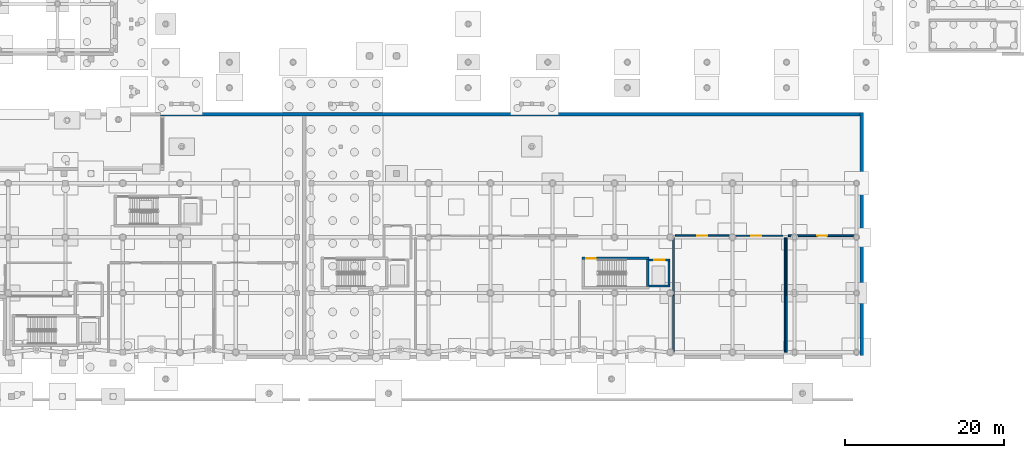
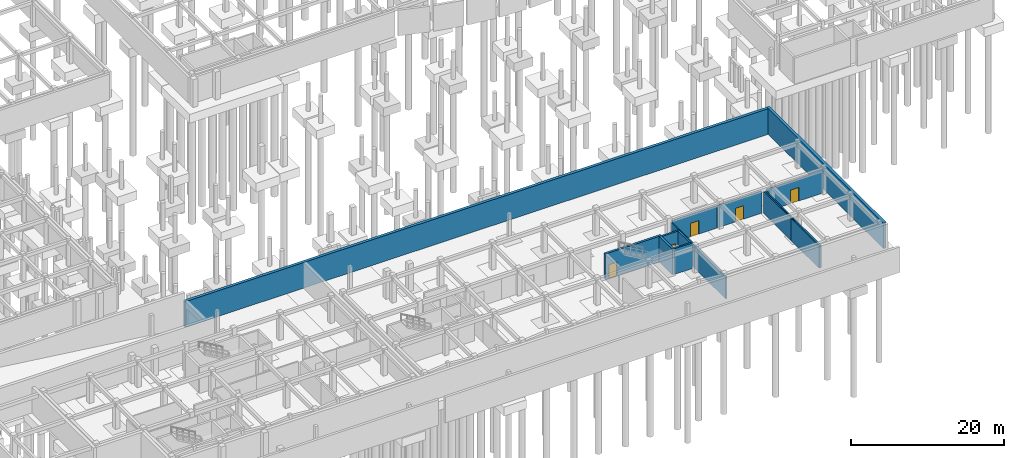
# One storey, part 17 of 22: 16 walls, 5 doors, 5 openings.
"""IFC4 building model written with IfcOpenShell, lengths in metres."""

from ifc_helpers import new_model, si_unit, direction, frame, frame_2d, origin, place, context, subcontext, project, spatial, rectangle, extrude, material, layer, layer_set, type_object, element, fill, save


model = new_model("IFC4")

# Units and contexts
model_context = context("Model", 3, precision=1e-05, world=origin(), true_north=direction((0.0, 1.0)))
body_context = subcontext(model_context, "Body", "Model", "MODEL_VIEW")
ifc_project = project(units=[si_unit("LENGTHUNIT", "METRE"), si_unit("AREAUNIT", "SQUARE_METRE"), si_unit("VOLUMEUNIT", "CUBIC_METRE"), si_unit("PLANEANGLEUNIT", "RADIAN"), si_unit("MASSUNIT", "GRAM", prefix="KILO")], contexts=[model_context])

# Site, building, storey
site_placement = place(None, origin())
site = spatial("IfcSite", under=ifc_project, at=site_placement, CompositionType="ELEMENT")
building_placement = place(site_placement, origin())
building = spatial("IfcBuilding", under=site, at=building_placement, Name="Valcora Specialist Clinic", CompositionType="ELEMENT")
storey_placement = place(building_placement, frame((0.0, 0.0, -4.419921875)))
storey = spatial("IfcBuildingStorey", under=building, at=storey_placement, Name="B1", CompositionType="ELEMENT", Elevation=-4.419921875)

# Wall, opening, door
ifc_material_1 = material(Name="Concrete C40/50", Category="concrete")
ifc_layer_1 = layer(ifc_material_1, 0.320068359375)
ifc_layer_set_1 = layer_set([ifc_layer_1], Name="Concrete C40/50")
wall_type_1 = type_object("IfcWallType", Name="TY-WL-CR320", PredefinedType="SHEAR", material=ifc_layer_set_1)
wall_1_placement = place(storey_placement, frame((88.280029296875, 12.56005859375, 0.0), z_axis=(0.0, 0.0, 1.0), x_axis=(1.0, 0.0, 0.0)))
wall_1 = element("IfcWall", 1, at=wall_1_placement, inside=storey, type_object=wall_type_1, Name="Core shear wall WL-CR-C-V6B-B1-N", PredefinedType="SHEAR", context=body_context, shape_type="SweptSolid", body=[
    extrude(rectangle(XDim=8.43994140625, YDim=0.320068359375, at=frame_2d((4.219970703125, 0.0))), origin(), (0.0, 0.0, 1.0), 4.08984375),
])
opening_1_placement = place(wall_1_placement, frame((0.570068359375, 0.0, 0.0)))
opening_1 = element("IfcOpeningElement", 2, at=opening_1_placement, cuts=wall_1, Name="Opening DR-FD-120", PredefinedType="OPENING", context=body_context, shape_type="SweptSolid", body=[
    extrude(rectangle(XDim=1.199951171875, YDim=2.199951171875, at=frame_2d((0.60009765625, 1.10009765625))), frame((0.0, 0.169921875, 0.0), z_axis=(0.0, -1.0, 0.0), x_axis=(1.0, 0.0, 0.0)), (0.0, 0.0, 1.0), 0.340087890625),
])
ifc_material_2 = material(Name="Galvanized Hollow Metal Door Steel ASTM A653", Category="steel")
door_type_1 = type_object("IfcDoorType", Name="TY-DR-ST120", OperationType="NOTDEFINED", PredefinedType="DOOR", material=ifc_material_2)
door_1_placement = place(opening_1_placement, origin())
door_1 = element("IfcDoor", 3, at=door_1_placement, inside=storey, type_object=door_type_1, Name="Exit stair fire door C-V6B B1", OperationType="SINGLE_SWING_LEFT", OverallHeight=2.199951171875, OverallWidth=1.199951171875, PredefinedType="DOOR", context=body_context, shape_type="SweptSolid", body=[
    extrude(rectangle(XDim=1.199951171875, YDim=2.199951171875, at=frame_2d((0.60009765625, 1.10009765625))), frame((0.0, 0.02490234375, 0.0), z_axis=(0.0, -1.0, 0.0), x_axis=(1.0, 0.0, 0.0)), (0.0, 0.0, 1.0), 0.050048828125),
])
fill(opening_1, door_1)

# Walls
wall_2_placement = place(storey_placement, frame((96.56005859375, 9.001953125, 0.0), z_axis=(0.0, 0.0, 1.0), x_axis=(0.0, 1.0, 0.0)))
element("IfcWall", 4, at=wall_2_placement, inside=storey, type_object=wall_type_1, Name="Core shear wall WL-CR-C-V6B-B1-E", PredefinedType="SHEAR", context=body_context, shape_type="SweptSolid", body=[
    extrude(rectangle(XDim=3.39599609375, YDim=0.320068359375, at=frame_2d((1.697998046875, 0.0))), origin(), (0.0, 0.0, 1.0), 4.08984375),
])
ifc_material_3 = material(Name="Gypsum Board Partition Assembly")
ifc_layer_2 = layer(ifc_material_3, 0.155029296875)
ifc_layer_set_2 = layer_set([ifc_layer_2], Name="Gypsum Board Partition Assembly")
wall_type_2 = type_object("IfcWallType", Name="TY-WL-PT155", PredefinedType="PARTITIONING", material=ifc_layer_set_2)
wall_3_placement = place(storey_placement, frame((113.800048828125, 7.949951171875, 0.0), z_axis=(0.0, 0.0, 1.0), x_axis=(0.0, -1.0, 0.0)))
element("IfcWall", 5, at=wall_3_placement, inside=storey, type_object=wall_type_2, Name="Interior partition WL-INT-B1-0023", PredefinedType="PARTITIONING", context=body_context, shape_type="SweptSolid", body=[
    extrude(rectangle(XDim=7.199951171875, YDim=0.155029296875, at=frame_2d((3.60009765625, 0.0))), origin(), (0.0, 0.0, 1.0), 3.5400390625),
])
ifc_layer_3 = layer(ifc_material_3, 0.1650390625)
ifc_layer_set_3 = layer_set([ifc_layer_3], Name="Gypsum Board Partition Assembly")
wall_type_3 = type_object("IfcWallType", Name="TY-WL-PT165", PredefinedType="PARTITIONING", material=ifc_layer_set_3)
wall_4_placement = place(storey_placement, frame((113.800048828125, 15.14990234375, 0.0), z_axis=(0.0, 0.0, 1.0), x_axis=(0.0, -1.0, 0.0)))
element("IfcWall", 6, at=wall_4_placement, inside=storey, type_object=wall_type_3, Name="Interior partition WL-INT-B1-0022", PredefinedType="PARTITIONING", context=body_context, shape_type="SweptSolid", body=[
    extrude(rectangle(XDim=7.199951171875, YDim=0.1650390625, at=frame_2d((3.60009765625, 0.0))), origin(), (0.0, 0.0, 1.0), 3.5400390625),
])

# Wall, opening, door
ifc_layer_4 = layer(ifc_material_3, 0.175048828125)
ifc_layer_set_4 = layer_set([ifc_layer_4], Name="Gypsum Board Partition Assembly")
wall_type_4 = type_object("IfcWallType", Name="TY-WL-PT175", PredefinedType="PARTITIONING", material=ifc_layer_set_4)
wall_5_placement = place(storey_placement, frame((106.800048828125, 15.39990234375, 0.0), z_axis=(0.0, 0.0, 1.0), x_axis=(1.0, 0.0, 0.0)))
wall_5 = element("IfcWall", 7, at=wall_5_placement, inside=storey, type_object=wall_type_4, Name="Interior partition WL-INT-B1-0021", PredefinedType="PARTITIONING", context=body_context, shape_type="SweptSolid", body=[
    extrude(rectangle(XDim=6.75, YDim=0.175048828125, at=frame_2d((3.375, 0.0))), origin(), (0.0, 0.0, 1.0), 3.5400390625),
])
opening_2_placement = place(wall_5_placement, frame((2.7451171875, 0.0, 0.0)))
opening_2 = element("IfcOpeningElement", 8, at=opening_2_placement, cuts=wall_5, Name="Opening DR-SR-126", PredefinedType="OPENING", context=body_context, shape_type="SweptSolid", body=[
    extrude(rectangle(XDim=1.260009765625, YDim=2.14990234375, at=frame_2d((0.6298828125, 1.074951171875))), frame((0.0, 0.097412109375, 0.0), z_axis=(0.0, -1.0, 0.0), x_axis=(1.0, 0.0, 0.0)), (0.0, 0.0, 1.0), 0.195068359375),
])
door_type_2 = type_object("IfcDoorType", Name="TY-DR-SR126", OperationType="NOTDEFINED", PredefinedType="DOOR", material=ifc_material_2)
door_2_placement = place(opening_2_placement, origin())
door_2 = element("IfcDoor", 9, at=door_2_placement, inside=storey, type_object=door_type_2, Name="Interior door DR-INT-B1-0007", OperationType="SINGLE_SWING_LEFT", OverallHeight=2.14990234375, OverallWidth=1.260009765625, PredefinedType="DOOR", context=body_context, shape_type="SweptSolid", body=[
    extrude(rectangle(XDim=1.260009765625, YDim=2.14990234375, at=frame_2d((0.6298828125, 1.074951171875))), frame((0.0, 0.02490234375, 0.0), z_axis=(0.0, -1.0, 0.0), x_axis=(1.0, 0.0, 0.0)), (0.0, 0.0, 1.0), 0.050048828125),
])
fill(opening_2, door_2)

ifc_layer_5 = layer(ifc_material_3, 0.18505859375)
ifc_layer_set_5 = layer_set([ifc_layer_5], Name="Gypsum Board Partition Assembly")
wall_type_5 = type_object("IfcWallType", Name="TY-WL-PT185", PredefinedType="PARTITIONING", material=ifc_layer_set_5)
wall_6_placement = place(storey_placement, frame((100.050048828125, 15.39990234375, 0.0), z_axis=(0.0, 0.0, 1.0), x_axis=(1.0, 0.0, 0.0)))
wall_6 = element("IfcWall", 10, at=wall_6_placement, inside=storey, type_object=wall_type_5, Name="Interior partition WL-INT-B1-0020", PredefinedType="PARTITIONING", context=body_context, shape_type="SweptSolid", body=[
    extrude(rectangle(XDim=6.75, YDim=0.18505859375, at=frame_2d((3.375, 0.0))), origin(), (0.0, 0.0, 1.0), 3.5400390625),
])
opening_3_placement = place(wall_6_placement, frame((2.7451171875, 0.0, 0.0)))
opening_3 = element("IfcOpeningElement", 11, at=opening_3_placement, cuts=wall_6, Name="Opening DR-SR-126", PredefinedType="OPENING", context=body_context, shape_type="SweptSolid", body=[
    extrude(rectangle(XDim=1.260009765625, YDim=2.14990234375, at=frame_2d((0.6298828125, 1.074951171875))), frame((0.0, 0.1025390625, 0.0), z_axis=(0.0, -1.0, 0.0), x_axis=(1.0, 0.0, 0.0)), (0.0, 0.0, 1.0), 0.205078125),
])
door_3_placement = place(opening_3_placement, origin())
door_3 = element("IfcDoor", 12, at=door_3_placement, inside=storey, type_object=door_type_2, Name="Interior door DR-INT-B1-0006", OperationType="SINGLE_SWING_RIGHT", OverallHeight=2.14990234375, OverallWidth=1.260009765625, PredefinedType="DOOR", context=body_context, shape_type="SweptSolid", body=[
    extrude(rectangle(XDim=1.260009765625, YDim=2.14990234375, at=frame_2d((0.6298828125, 1.074951171875))), frame((0.0, 0.02490234375, 0.0), z_axis=(0.0, -1.0, 0.0), x_axis=(1.0, 0.0, 0.0)), (0.0, 0.0, 1.0), 0.050048828125),
])
fill(opening_3, door_3)

# Walls
wall_7_placement = place(storey_placement, frame((114.0, 7.949951171875, 0.0), z_axis=(0.0, 0.0, 1.0), x_axis=(0.0, 1.0, 0.0)))
element("IfcWall", 13, at=wall_7_placement, inside=storey, type_object=wall_type_5, Name="Interior partition WL-INT-B1-0028", PredefinedType="PARTITIONING", context=body_context, shape_type="SweptSolid", body=[
    extrude(rectangle(XDim=7.199951171875, YDim=0.18505859375, at=frame_2d((3.60009765625, 0.0))), origin(), (0.0, 0.0, 1.0), 3.5400390625),
])
ifc_layer_6 = layer(ifc_material_3, 0.195068359375)
ifc_layer_set_6 = layer_set([ifc_layer_6], Name="Gypsum Board Partition Assembly")
wall_type_6 = type_object("IfcWallType", Name="TY-WL-PT195", PredefinedType="PARTITIONING", material=ifc_layer_set_6)
wall_8_placement = place(storey_placement, frame((114.0, 0.75, 0.0), z_axis=(0.0, 0.0, 1.0), x_axis=(0.0, 1.0, 0.0)))
element("IfcWall", 14, at=wall_8_placement, inside=storey, type_object=wall_type_6, Name="Interior partition WL-INT-B1-0027", PredefinedType="PARTITIONING", context=body_context, shape_type="SweptSolid", body=[
    extrude(rectangle(XDim=7.199951171875, YDim=0.195068359375, at=frame_2d((3.60009765625, 0.0))), origin(), (0.0, 0.0, 1.0), 3.5400390625),
])

# Wall, opening, door
ifc_material_4 = material(Name="Lead-Lined Gypsum Partition Assembly")
ifc_layer_7 = layer(ifc_material_4, 0.205078125)
ifc_layer_set_7 = layer_set([ifc_layer_7], Name="Lead-Lined Gypsum Partition Assembly")
wall_type_7 = type_object("IfcWallType", Name="TY-WL-PT205", PredefinedType="PARTITIONING", material=ifc_layer_set_7)
wall_9_placement = place(storey_placement, frame((114.25, 15.39990234375, 0.0), z_axis=(0.0, 0.0, 1.0), x_axis=(1.0, 0.0, 0.0)))
wall_9 = element("IfcWall", 15, at=wall_9_placement, inside=storey, type_object=wall_type_7, Name="Interior partition WL-INT-B1-0026", PredefinedType="PARTITIONING", context=body_context, shape_type="SweptSolid", body=[
    extrude(rectangle(XDim=8.5, YDim=0.205078125, at=frame_2d((4.25, 0.0))), origin(), (0.0, 0.0, 1.0), 3.5400390625),
])
opening_4_placement = place(wall_9_placement, frame((3.6201171875, 0.0, 0.0)))
opening_4 = element("IfcOpeningElement", 16, at=opening_4_placement, cuts=wall_9, Name="Opening DR-SR-126", PredefinedType="OPENING", context=body_context, shape_type="SweptSolid", body=[
    extrude(rectangle(XDim=1.260009765625, YDim=2.14990234375, at=frame_2d((0.6298828125, 1.074951171875))), frame((0.0, 0.112548828125, 0.0), z_axis=(0.0, -1.0, 0.0), x_axis=(1.0, 0.0, 0.0)), (0.0, 0.0, 1.0), 0.22509765625),
])
door_4_placement = place(opening_4_placement, origin())
door_4 = element("IfcDoor", 17, at=door_4_placement, inside=storey, type_object=door_type_2, Name="Interior door DR-INT-B1-0008", OperationType="SINGLE_SWING_RIGHT", OverallHeight=2.14990234375, OverallWidth=1.260009765625, PredefinedType="DOOR", context=body_context, shape_type="SweptSolid", body=[
    extrude(rectangle(XDim=1.260009765625, YDim=2.14990234375, at=frame_2d((0.6298828125, 1.074951171875))), frame((0.0, 0.02490234375, 0.0), z_axis=(0.0, -1.0, 0.0), x_axis=(1.0, 0.0, 0.0)), (0.0, 0.0, 1.0), 0.050048828125),
])
fill(opening_4, door_4)

# Walls
ifc_layer_8 = layer(ifc_material_4, 0.215087890625)
ifc_layer_set_8 = layer_set([ifc_layer_8], Name="Lead-Lined Gypsum Partition Assembly")
wall_type_8 = type_object("IfcWallType", Name="TY-WL-PT215", PredefinedType="PARTITIONING", material=ifc_layer_set_8)
wall_10_placement = place(storey_placement, frame((99.800048828125, 7.949951171875, 0.0), z_axis=(0.0, 0.0, 1.0), x_axis=(0.0, 1.0, 0.0)))
element("IfcWall", 18, at=wall_10_placement, inside=storey, type_object=wall_type_8, Name="Interior partition WL-INT-B1-0025", PredefinedType="PARTITIONING", context=body_context, shape_type="SweptSolid", body=[
    extrude(rectangle(XDim=7.199951171875, YDim=0.215087890625, at=frame_2d((3.60009765625, 0.0))), origin(), (0.0, 0.0, 1.0), 3.5400390625),
])
ifc_layer_9 = layer(ifc_material_4, 0.22998046875)
ifc_layer_set_9 = layer_set([ifc_layer_9], Name="Lead-Lined Gypsum Partition Assembly")
wall_type_9 = type_object("IfcWallType", Name="TY-WL-PT230", PredefinedType="PARTITIONING", material=ifc_layer_set_9)
wall_11_placement = place(storey_placement, frame((99.800048828125, 0.75, 0.0), z_axis=(0.0, 0.0, 1.0), x_axis=(0.0, 1.0, 0.0)))
element("IfcWall", 19, at=wall_11_placement, inside=storey, type_object=wall_type_9, Name="Interior partition WL-INT-B1-0024", PredefinedType="PARTITIONING", context=body_context, shape_type="SweptSolid", body=[
    extrude(rectangle(XDim=7.199951171875, YDim=0.22998046875, at=frame_2d((3.60009765625, 0.0))), origin(), (0.0, 0.0, 1.0), 3.5400390625),
])
ifc_layer_10 = layer(ifc_material_1, 0.429931640625)
ifc_layer_set_10 = layer_set([ifc_layer_10], Name="Concrete C40/50")
wall_type_10 = type_object("IfcWallType", Name="TY-WL-RET430", PredefinedType="SHEAR", material=ifc_layer_set_10)
wall_12_placement = place(storey_placement, frame((123.449951171875, 0.3798828125, 0.0), z_axis=(0.0, 0.0, 1.0), x_axis=(0.0, 1.0, 0.0)))
element("IfcWall", 20, at=wall_12_placement, inside=storey, type_object=wall_type_10, Name="Exterior wall WL-EXT-B1-0006", PredefinedType="SHEAR", context=body_context, shape_type="SweptSolid", body=[
    extrude(rectangle(XDim=30.485107421875, YDim=0.429931640625, at=frame_2d((15.24267578125, 0.0))), origin(), (0.0, 0.0, 1.0), 4.08984375),
])
wall_13_placement = place(storey_placement, frame((123.235107421875, 30.64990234375, 0.0), z_axis=(0.0, 0.0, 1.0), x_axis=(-1.0, 0.0, 0.0)))
element("IfcWall", 21, at=wall_13_placement, inside=storey, type_object=wall_type_10, Name="Exterior wall WL-EXT-B1-0007", PredefinedType="SHEAR", context=body_context, shape_type="SweptSolid", body=[
    extrude(rectangle(XDim=87.885009765625, YDim=0.429931640625, at=frame_2d((43.9423828125, 0.0))), origin(), (0.0, 0.0, 1.0), 4.08984375),
])
ifc_layer_11 = layer(ifc_material_1, 0.260009765625)
ifc_layer_set_11 = layer_set([ifc_layer_11], Name="Concrete C40/50")
wall_type_11 = type_object("IfcWallType", Name="TY-WL-SH260", PredefinedType="SHEAR", material=ifc_layer_set_11)
wall_14_placement = place(storey_placement, frame((96.721923828125, 9.070068359375, 0.0), z_axis=(0.0, 0.0, 1.0), x_axis=(1.0, 0.0, 0.0)))
element("IfcWall", 22, at=wall_14_placement, inside=storey, type_object=wall_type_11, Name="Lift shaft wall WL-LF-LF-08-B1-LS", PredefinedType="SHEAR", context=body_context, shape_type="SweptSolid", body=[
    extrude(rectangle(XDim=2.657958984375, YDim=0.260009765625, at=frame_2d((1.3291015625, 0.0))), origin(), (0.0, 0.0, 1.0), 4.08984375),
])

# Wall, opening, door
wall_15_placement = place(storey_placement, frame((96.721923828125, 12.330078125, 0.0), z_axis=(0.0, 0.0, 1.0), x_axis=(1.0, 0.0, 0.0)))
wall_15 = element("IfcWall", 23, at=wall_15_placement, inside=storey, type_object=wall_type_11, Name="Lift shaft wall WL-LF-LF-08-B1-LN", PredefinedType="SHEAR", context=body_context, shape_type="SweptSolid", body=[
    extrude(rectangle(XDim=2.657958984375, YDim=0.260009765625, at=frame_2d((1.3291015625, 0.0))), origin(), (0.0, 0.0, 1.0), 4.08984375),
])
opening_5_placement = place(wall_15_placement, frame((0.678955078125, 0.0, 0.0)))
opening_5 = element("IfcOpeningElement", 24, at=opening_5_placement, cuts=wall_15, Name="Opening LD-130", PredefinedType="OPENING", context=body_context, shape_type="SweptSolid", body=[
    extrude(rectangle(XDim=1.300048828125, YDim=2.199951171875, at=frame_2d((0.64990234375, 1.10009765625))), frame((0.0, 0.139892578125, 0.0), z_axis=(0.0, -1.0, 0.0), x_axis=(1.0, 0.0, 0.0)), (0.0, 0.0, 1.0), 0.280029296875),
])
ifc_material_5 = material(Name="Stainless Steel AISI 316", Category="steel")
door_type_3 = type_object("IfcDoorType", Name="TY-LD-130", OperationType="NOTDEFINED", PredefinedType="DOOR", material=ifc_material_5)
door_5_placement = place(opening_5_placement, origin())
door_5 = element("IfcDoor", 25, at=door_5_placement, inside=storey, type_object=door_type_3, Name="Lift landing sliding door LF-08 B1", OperationType="SLIDING_TO_LEFT", OverallHeight=2.199951171875, OverallWidth=1.300048828125, PredefinedType="DOOR", context=body_context, shape_type="SweptSolid", body=[
    extrude(rectangle(XDim=1.300048828125, YDim=2.199951171875, at=frame_2d((0.64990234375, 1.10009765625))), frame((0.0, 0.02490234375, 0.0), z_axis=(0.0, -1.0, 0.0), x_axis=(1.0, 0.0, 0.0)), (0.0, 0.0, 1.0), 0.050048828125),
])
fill(opening_5, door_5)

# Wall
wall_16_placement = place(storey_placement, frame((99.25, 9.201904296875, 0.0), z_axis=(0.0, 0.0, 1.0), x_axis=(0.0, 1.0, 0.0)))
element("IfcWall", 26, at=wall_16_placement, inside=storey, type_object=wall_type_11, Name="Lift shaft wall WL-LF-LF-08-B1-LE", PredefinedType="SHEAR", context=body_context, shape_type="SweptSolid", body=[
    extrude(rectangle(XDim=2.99609375, YDim=0.260009765625, at=frame_2d((1.498046875, 0.0))), origin(), (0.0, 0.0, 1.0), 4.08984375),
])

save(model, "model.ifc")
